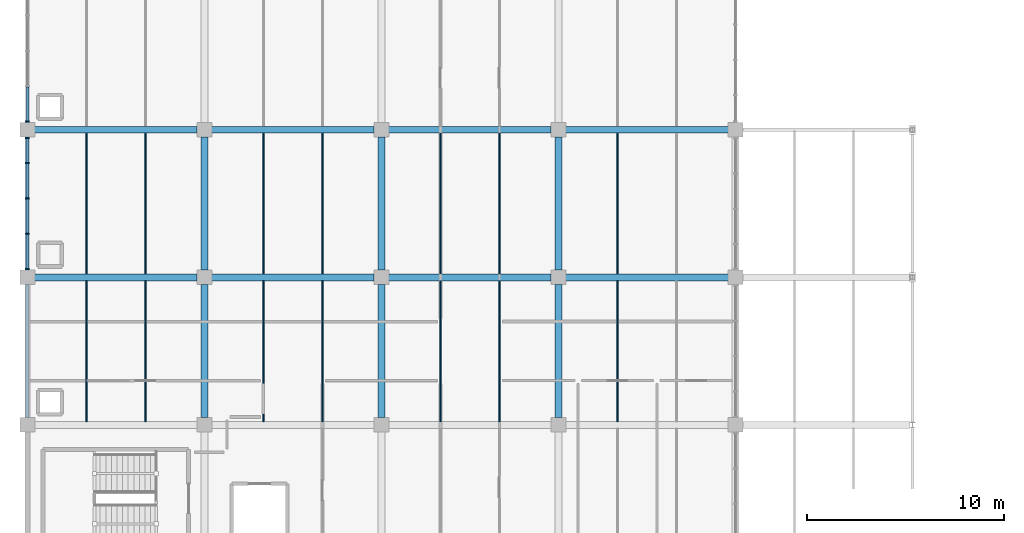
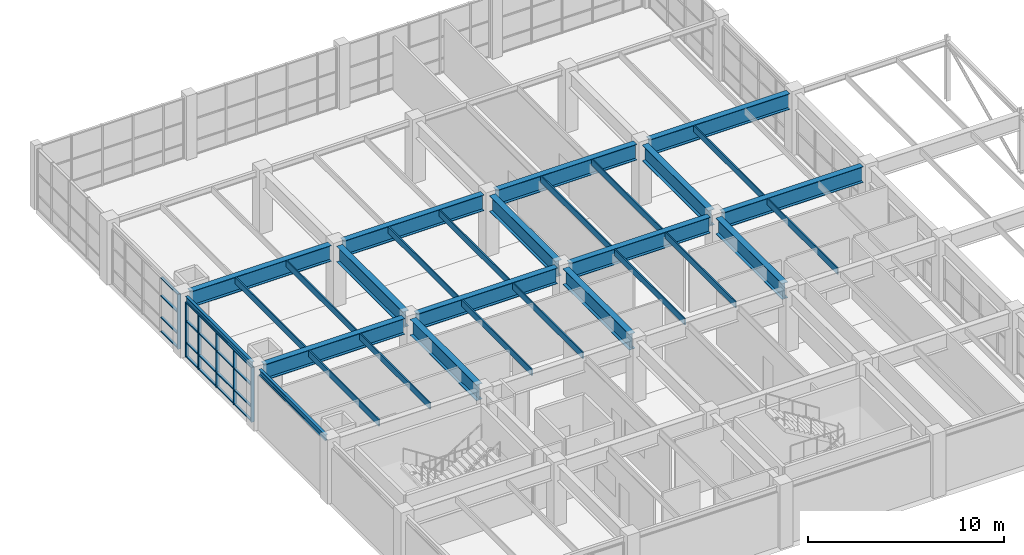
# One storey, part 12 of 76: 30 beams, 26 members, 2 elements without a shape of their own.
"""IFC4 building model written with IfcOpenShell, lengths in metres."""

from ifc_helpers import new_model, si_unit, direction, frame, origin, origin_2d, place, context, subcontext, project, spatial, rectangle, i_section, extrude, material, layer, layer_set, material_profile, profile_set, type_object, element, aggregate, save


model = new_model("IFC4")

# Units and contexts
model_context = context("Model", 3, precision=1e-05, world=origin(), true_north=direction((0.0, 1.0)))
body_context = subcontext(model_context, "Body", "Model", "MODEL_VIEW")
ifc_project = project(units=[si_unit("LENGTHUNIT", "METRE"), si_unit("AREAUNIT", "SQUARE_METRE"), si_unit("VOLUMEUNIT", "CUBIC_METRE"), si_unit("PLANEANGLEUNIT", "RADIAN"), si_unit("MASSUNIT", "GRAM", prefix="KILO")], contexts=[model_context])

# Site, building, storey
site_placement = place(None, origin())
site = spatial("IfcSite", under=ifc_project, at=site_placement, CompositionType="ELEMENT")
building_placement = place(site_placement, origin())
building = spatial("IfcBuilding", under=site, at=building_placement, Name="Marnridge Secondary College", CompositionType="ELEMENT")
storey_placement = place(building_placement, frame((0.0, 0.0, 4.5)))
storey = spatial("IfcBuildingStorey", under=building, at=storey_placement, Name="L01", CompositionType="ELEMENT", Elevation=4.5)

# Beams
ifc_material_1 = material(Name="Engineered timber LVL E13.2", Category="wood")
ifc_material_profile_1 = material_profile(ifc_material_1, rectangle(XDim=0.074951171875, YDim=0.39990234375, at=origin_2d()), Name="LVL 75x400")
ifc_profile_set_1 = profile_set([ifc_material_profile_1], Name="Engineered timber LVL E13.2")
beam_type_1 = type_object("IfcBeamType", Name="BM-LVL400-INT", PredefinedType="JOIST", material=ifc_profile_set_1)
for number, where, z_axis, x_axis, name in (
    (1, (3.0, 15.1689453125, 3.570068359375), (0.0, 1.0, 0.0), (-1.0, 0.0, 0.0), "Beam BJ-L01-0715"),
    (2, (6.0, 15.1689453125, 3.570068359375), (0.0, 1.0, 0.0), (-1.0, 0.0, 0.0), "Beam BJ-L01-0716"),
    (3, (3.0, 22.6689453125, 3.570068359375), (0.0, 1.0, 0.0), (-1.0, 0.0, 0.0), "Beam BJ-L01-0717"),
    (4, (6.0, 22.6689453125, 3.570068359375), (0.0, 1.0, 0.0), (-1.0, 0.0, 0.0), "Beam BJ-L01-0718"),
    (5, (12.0, 15.1689453125, 3.570068359375), (0.0, 1.0, 0.0), (-1.0, 0.0, 0.0), "Beam BJ-L01-0722"),
    (6, (15.0, 15.1689453125, 3.570068359375), (0.0, 1.0, 0.0), (-1.0, 0.0, 0.0), "Beam BJ-L01-0723"),
    (7, (12.0, 22.6689453125, 3.570068359375), (0.0, 1.0, 0.0), (-1.0, 0.0, 0.0), "Beam BJ-L01-0724"),
    (8, (15.0, 22.6689453125, 3.570068359375), (0.0, 1.0, 0.0), (-1.0, 0.0, 0.0), "Beam BJ-L01-0725"),
    (9, (21.0, 15.1689453125, 3.570068359375), (0.0, 1.0, 0.0), (-1.0, 0.0, 0.0), "Beam BJ-L01-0728"),
    (10, (24.0, 15.1689453125, 3.570068359375), (0.0, 1.0, 0.0), (-1.0, 0.0, 0.0), "Beam BJ-L01-0729"),
    (11, (21.0, 22.6689453125, 3.570068359375), (0.0, 1.0, 0.0), (-1.0, 0.0, 0.0), "Beam BJ-L01-0730"),
    (12, (24.0, 22.6689453125, 3.570068359375), (0.0, 1.0, 0.0), (-1.0, 0.0, 0.0), "Beam BJ-L01-0731"),
    (13, (30.0, 15.1689453125, 3.570068359375), (0.0, 1.0, 0.0), (-1.0, 0.0, 0.0), "Beam BJ-L01-0736"),
    (14, (30.0, 22.6689453125, 3.570068359375), (0.0, 1.0, 0.0), (-1.0, 0.0, 0.0), "Beam BJ-L01-0738"),
):
    element("IfcBeam", number, at=place(storey_placement, frame(where, z_axis=z_axis, x_axis=x_axis)), inside=storey, type_object=beam_type_1, Name=name, PredefinedType="JOIST", context=body_context, shape_type="SweptSolid", body=[
        extrude(rectangle(XDim=0.074951171875, YDim=0.39990234375, at=origin_2d()), origin(), (0.0, 0.0, 1.0), 7.162109375),
    ])
ifc_material_2 = material(Name="Structural steel Grade 350 (AS/NZS 3679.1/.2, fy = 340-360 MPa)", Category="steel")
ifc_material_profile_2 = material_profile(ifc_material_2, i_section(OverallWidth=0.1708984375, OverallDepth=0.35205078125, WebThickness=0.0068359375, FlangeThickness=0.009765625, FilletRadius=0.011474609375, at=origin_2d()), Name="360UB44.7")
ifc_profile_set_2 = profile_set([ifc_material_profile_2], Name="Structural steel Grade 350 (AS/NZS 3679.1/.2, fy = 340-360 MPa)")
beam_type_2 = type_object("IfcBeamType", Name="BM-UB360-EXT", PredefinedType="SPANDREL", material=ifc_profile_set_2)
for number, where, z_axis, x_axis, name in (
    (15, (0.0, 15.368896484375, 3.593994140625), (0.0, 1.0, 0.0), (-1.0, 0.0, 0.0), "Beam BS-L01-0663"),
    (16, (0.0, 22.868896484375, 3.593994140625), (0.0, 1.0, 0.0), (-1.0, 0.0, 0.0), "Beam BS-L01-0666"),
):
    element("IfcBeam", number, at=place(storey_placement, frame(where, z_axis=z_axis, x_axis=x_axis)), inside=storey, type_object=beam_type_2, Name=name, PredefinedType="SPANDREL", context=body_context, shape_type="SweptSolid", body=[
        extrude(i_section(OverallWidth=0.1708984375, OverallDepth=0.35205078125, WebThickness=0.0068359375, FlangeThickness=0.009765625, FilletRadius=0.011474609375, at=origin_2d()), origin(), (0.0, 0.0, 1.0), 6.76220703125),
    ])
ifc_material_3 = material(Name="Structural steel Grade 350 (AS/NZS 3679.1/.2, fy = 340-360 MPa)", Category="steel")
ifc_material_profile_3 = material_profile(ifc_material_3, i_section(OverallWidth=0.35009765625, OverallDepth=0.989990234375, WebThickness=0.01611328125, FlangeThickness=0.02490234375, at=origin_2d()), Name="1000WB258")
ifc_profile_set_3 = profile_set([ifc_material_profile_3], Name="Structural steel Grade 350 (AS/NZS 3679.1/.2, fy = 340-360 MPa)")
beam_type_3 = type_object("IfcBeamType", Name="BM-WB1000-INT", PredefinedType="BEAM", material=ifc_profile_set_3)
beam_1_placement = place(storey_placement, frame((0.368896484375, 22.5, 3.27490234375), z_axis=(1.0, 0.0, 0.0), x_axis=(0.0, 1.0, 0.0)))
element("IfcBeam", 17, at=beam_1_placement, inside=storey, type_object=beam_type_3, Name="Beam B-L01-0662", PredefinedType="BEAM", context=body_context, shape_type="SweptSolid", body=[
    extrude(i_section(OverallWidth=0.35009765625, OverallDepth=0.989990234375, WebThickness=0.01611328125, FlangeThickness=0.02490234375, at=origin_2d()), origin(), (0.0, 0.0, 1.0), 8.26220703125),
])
beam_2_placement = place(storey_placement, frame((9.0, 15.368896484375, 3.27490234375), z_axis=(0.0, 1.0, 0.0), x_axis=(-1.0, 0.0, 0.0)))
element("IfcBeam", 18, at=beam_2_placement, inside=storey, type_object=beam_type_3, Name="Beam B-L01-0664", PredefinedType="BEAM", context=body_context, shape_type="SweptSolid", body=[
    extrude(i_section(OverallWidth=0.35009765625, OverallDepth=0.989990234375, WebThickness=0.01611328125, FlangeThickness=0.02490234375, at=origin_2d()), origin(), (0.0, 0.0, 1.0), 6.76220703125),
])
beam_3_placement = place(storey_placement, frame((0.368896484375, 30.0, 3.27490234375), z_axis=(1.0, 0.0, 0.0), x_axis=(0.0, 1.0, 0.0)))
element("IfcBeam", 19, at=beam_3_placement, inside=storey, type_object=beam_type_3, Name="Beam B-L01-0665", PredefinedType="BEAM", context=body_context, shape_type="SweptSolid", body=[
    extrude(i_section(OverallWidth=0.35009765625, OverallDepth=0.989990234375, WebThickness=0.01611328125, FlangeThickness=0.02490234375, at=origin_2d()), origin(), (0.0, 0.0, 1.0), 8.26220703125),
])
beam_4_placement = place(storey_placement, frame((9.0, 22.868896484375, 3.27490234375), z_axis=(0.0, 1.0, 0.0), x_axis=(-1.0, 0.0, 0.0)))
element("IfcBeam", 20, at=beam_4_placement, inside=storey, type_object=beam_type_3, Name="Beam B-L01-0667", PredefinedType="BEAM", context=body_context, shape_type="SweptSolid", body=[
    extrude(i_section(OverallWidth=0.35009765625, OverallDepth=0.989990234375, WebThickness=0.01611328125, FlangeThickness=0.02490234375, at=origin_2d()), origin(), (0.0, 0.0, 1.0), 6.76220703125),
])
beam_5_placement = place(storey_placement, frame((9.368896484375, 22.5, 3.27490234375), z_axis=(1.0, 0.0, 0.0), x_axis=(0.0, 1.0, 0.0)))
element("IfcBeam", 21, at=beam_5_placement, inside=storey, type_object=beam_type_3, Name="Beam B-L01-0673", PredefinedType="BEAM", context=body_context, shape_type="SweptSolid", body=[
    extrude(i_section(OverallWidth=0.35009765625, OverallDepth=0.989990234375, WebThickness=0.01611328125, FlangeThickness=0.02490234375, at=origin_2d()), origin(), (0.0, 0.0, 1.0), 8.26220703125),
])
beam_6_placement = place(storey_placement, frame((18.0, 15.368896484375, 3.27490234375), z_axis=(0.0, 1.0, 0.0), x_axis=(-1.0, 0.0, 0.0)))
element("IfcBeam", 22, at=beam_6_placement, inside=storey, type_object=beam_type_3, Name="Beam B-L01-0674", PredefinedType="BEAM", context=body_context, shape_type="SweptSolid", body=[
    extrude(i_section(OverallWidth=0.35009765625, OverallDepth=0.989990234375, WebThickness=0.01611328125, FlangeThickness=0.02490234375, at=origin_2d()), origin(), (0.0, 0.0, 1.0), 6.76220703125),
])
beam_7_placement = place(storey_placement, frame((9.368896484375, 30.0, 3.27490234375), z_axis=(1.0, 0.0, 0.0), x_axis=(0.0, 1.0, 0.0)))
element("IfcBeam", 23, at=beam_7_placement, inside=storey, type_object=beam_type_3, Name="Beam B-L01-0675", PredefinedType="BEAM", context=body_context, shape_type="SweptSolid", body=[
    extrude(i_section(OverallWidth=0.35009765625, OverallDepth=0.989990234375, WebThickness=0.01611328125, FlangeThickness=0.02490234375, at=origin_2d()), origin(), (0.0, 0.0, 1.0), 8.26220703125),
])
beam_8_placement = place(storey_placement, frame((18.0, 22.868896484375, 3.27490234375), z_axis=(0.0, 1.0, 0.0), x_axis=(-1.0, 0.0, 0.0)))
element("IfcBeam", 24, at=beam_8_placement, inside=storey, type_object=beam_type_3, Name="Beam B-L01-0676", PredefinedType="BEAM", context=body_context, shape_type="SweptSolid", body=[
    extrude(i_section(OverallWidth=0.35009765625, OverallDepth=0.989990234375, WebThickness=0.01611328125, FlangeThickness=0.02490234375, at=origin_2d()), origin(), (0.0, 0.0, 1.0), 6.76220703125),
])
beam_9_placement = place(storey_placement, frame((18.368896484375, 22.5, 3.27490234375), z_axis=(1.0, 0.0, 0.0), x_axis=(0.0, 1.0, 0.0)))
element("IfcBeam", 25, at=beam_9_placement, inside=storey, type_object=beam_type_3, Name="Beam B-L01-0682", PredefinedType="BEAM", context=body_context, shape_type="SweptSolid", body=[
    extrude(i_section(OverallWidth=0.35009765625, OverallDepth=0.989990234375, WebThickness=0.01611328125, FlangeThickness=0.02490234375, at=origin_2d()), origin(), (0.0, 0.0, 1.0), 8.26220703125),
])
beam_10_placement = place(storey_placement, frame((27.0, 15.368896484375, 3.27490234375), z_axis=(0.0, 1.0, 0.0), x_axis=(-1.0, 0.0, 0.0)))
element("IfcBeam", 26, at=beam_10_placement, inside=storey, type_object=beam_type_3, Name="Beam B-L01-0683", PredefinedType="BEAM", context=body_context, shape_type="SweptSolid", body=[
    extrude(i_section(OverallWidth=0.35009765625, OverallDepth=0.989990234375, WebThickness=0.01611328125, FlangeThickness=0.02490234375, at=origin_2d()), origin(), (0.0, 0.0, 1.0), 6.76220703125),
])
beam_11_placement = place(storey_placement, frame((18.368896484375, 30.0, 3.27490234375), z_axis=(1.0, 0.0, 0.0), x_axis=(0.0, 1.0, 0.0)))
element("IfcBeam", 27, at=beam_11_placement, inside=storey, type_object=beam_type_3, Name="Beam B-L01-0684", PredefinedType="BEAM", context=body_context, shape_type="SweptSolid", body=[
    extrude(i_section(OverallWidth=0.35009765625, OverallDepth=0.989990234375, WebThickness=0.01611328125, FlangeThickness=0.02490234375, at=origin_2d()), origin(), (0.0, 0.0, 1.0), 8.26220703125),
])
beam_12_placement = place(storey_placement, frame((27.0, 22.868896484375, 3.27490234375), z_axis=(0.0, 1.0, 0.0), x_axis=(-1.0, 0.0, 0.0)))
element("IfcBeam", 28, at=beam_12_placement, inside=storey, type_object=beam_type_3, Name="Beam B-L01-0685", PredefinedType="BEAM", context=body_context, shape_type="SweptSolid", body=[
    extrude(i_section(OverallWidth=0.35009765625, OverallDepth=0.989990234375, WebThickness=0.01611328125, FlangeThickness=0.02490234375, at=origin_2d()), origin(), (0.0, 0.0, 1.0), 6.76220703125),
])
for number, where, z_axis, x_axis, name in (
    (29, (27.368896484375, 22.5, 3.27490234375), (1.0, 0.0, 0.0), (0.0, 1.0, 0.0), "Beam B-L01-0691"),
    (30, (27.368896484375, 30.0, 3.27490234375), (1.0, 0.0, 0.0), (0.0, 1.0, 0.0), "Beam B-L01-0693"),
):
    element("IfcBeam", number, at=place(storey_placement, frame(where, z_axis=z_axis, x_axis=x_axis)), inside=storey, type_object=beam_type_3, Name=name, PredefinedType="BEAM", context=body_context, shape_type="SweptSolid", body=[
        extrude(i_section(OverallWidth=0.35009765625, OverallDepth=0.989990234375, WebThickness=0.01611328125, FlangeThickness=0.02490234375, at=origin_2d()), origin(), (0.0, 0.0, 1.0), 8.26220703125),
    ])

# Curtain wall, members
ifc_material_4 = material(Name="Bronze-anodised aluminium and solar-control glazing", Category="aluminium")
ifc_layer = layer(ifc_material_4, 0.199951171875)
ifc_layer_set = layer_set([ifc_layer], Name="CW-MOD-1800")
curtain_wall_type = type_object("IfcCurtainWallType", Name="CW-MOD-1800", PredefinedType="NOTDEFINED", material=ifc_layer_set)
curtain_wall_1_placement = place(storey_placement, origin())
curtain_wall_1 = element("IfcCurtainWall", 31, at=curtain_wall_1_placement, inside=storey, type_object=curtain_wall_type, Name="Unitised curtain wall CW-L01-070", PredefinedType="NOTDEFINED")
ifc_material_5 = material(Name="Bronze-anodised aluminium 6063-T6", Category="aluminium")
ifc_material_profile_4 = material_profile(ifc_material_5, rectangle(XDim=0.070068359375, YDim=0.199951171875, at=origin_2d()), Name="ALU 70x200")
ifc_profile_set_4 = profile_set([ifc_material_profile_4], Name="Bronze-anodised aluminium 6063-T6")
member_type_1 = type_object("IfcMemberType", Name="CWM-ALU200", PredefinedType="MULLION", material=ifc_profile_set_4)
member_1_placement = place(storey_placement, frame((0.0, 22.9140625, 0.0), z_axis=(0.0, 0.0, 1.0), x_axis=(0.0, 1.0, 0.0)))
member_1 = element("IfcMember", 32, at=member_1_placement, type_object=member_type_1, Name="CW-L01-070 mullion 1", PredefinedType="MULLION", context=body_context, shape_type="SweptSolid", body=[
    extrude(rectangle(XDim=0.070068359375, YDim=0.199951171875, at=origin_2d()), origin(), (0.0, 0.0, 1.0), 3.409912109375),
])
member_2_placement = place(storey_placement, frame((0.0, 24.714111328125, 0.0), z_axis=(0.0, 0.0, 1.0), x_axis=(0.0, 1.0, 0.0)))
member_2 = element("IfcMember", 33, at=member_2_placement, type_object=member_type_1, Name="CW-L01-070 mullion 2", PredefinedType="MULLION", context=body_context, shape_type="SweptSolid", body=[
    extrude(rectangle(XDim=0.070068359375, YDim=0.199951171875, at=origin_2d()), origin(), (0.0, 0.0, 1.0), 3.409912109375),
])
member_3_placement = place(storey_placement, frame((0.0, 26.513916015625, 0.0), z_axis=(0.0, 0.0, 1.0), x_axis=(0.0, 1.0, 0.0)))
member_3 = element("IfcMember", 34, at=member_3_placement, type_object=member_type_1, Name="CW-L01-070 mullion 3", PredefinedType="MULLION", context=body_context, shape_type="SweptSolid", body=[
    extrude(rectangle(XDim=0.070068359375, YDim=0.199951171875, at=origin_2d()), origin(), (0.0, 0.0, 1.0), 3.409912109375),
])
member_4_placement = place(storey_placement, frame((0.0, 28.31396484375, 0.0), z_axis=(0.0, 0.0, 1.0), x_axis=(0.0, 1.0, 0.0)))
member_4 = element("IfcMember", 35, at=member_4_placement, type_object=member_type_1, Name="CW-L01-070 mullion 4", PredefinedType="MULLION", context=body_context, shape_type="SweptSolid", body=[
    extrude(rectangle(XDim=0.070068359375, YDim=0.199951171875, at=origin_2d()), origin(), (0.0, 0.0, 1.0), 3.409912109375),
])
member_5_placement = place(storey_placement, frame((0.0, 29.5859375, 0.0), z_axis=(0.0, 0.0, 1.0), x_axis=(0.0, 1.0, 0.0)))
member_5 = element("IfcMember", 36, at=member_5_placement, type_object=member_type_1, Name="CW-L01-070 mullion 5", PredefinedType="MULLION", context=body_context, shape_type="SweptSolid", body=[
    extrude(rectangle(XDim=0.070068359375, YDim=0.199951171875, at=origin_2d()), origin(), (0.0, 0.0, 1.0), 3.409912109375),
])

# Curtain wall, member
curtain_wall_2_placement = place(storey_placement, origin())
curtain_wall_2 = element("IfcCurtainWall", 37, at=curtain_wall_2_placement, inside=storey, type_object=curtain_wall_type, Name="Unitised curtain wall CW-L01-071", PredefinedType="NOTDEFINED")
member_6_placement = place(storey_placement, frame((0.0, 30.4140625, 0.0), z_axis=(0.0, 0.0, 1.0), x_axis=(0.0, 1.0, 0.0)))
member_6 = element("IfcMember", 38, at=member_6_placement, type_object=member_type_1, Name="CW-L01-071 mullion 1", PredefinedType="MULLION", context=body_context, shape_type="SweptSolid", body=[
    extrude(rectangle(XDim=0.070068359375, YDim=0.199951171875, at=origin_2d()), origin(), (0.0, 0.0, 1.0), 3.409912109375),
])

# Member
ifc_material_6 = material(Name="Anodised aluminium 6063-T6", Category="aluminium")
ifc_material_profile_5 = material_profile(ifc_material_6, rectangle(XDim=0.06494140625, YDim=0.139892578125, at=origin_2d()), Name="ALU 65x140")
ifc_profile_set_5 = profile_set([ifc_material_profile_5], Name="Anodised aluminium 6063-T6")
member_type_2 = type_object("IfcMemberType", Name="CWT-ALU140", PredefinedType="USERDEFINED", material=ifc_profile_set_5)
member_7_placement = place(storey_placement, frame((0.0, 22.948974609375, 0.032470703125), z_axis=(0.0, 1.0, 0.0), x_axis=(0.0, 0.0, 1.0)))
member_7 = element("IfcMember", 39, at=member_7_placement, type_object=member_type_2, Name="CW-L01-070 transom 1.1", ObjectType="TRANSOM", PredefinedType="USERDEFINED", context=body_context, shape_type="SweptSolid", body=[
    extrude(rectangle(XDim=0.06494140625, YDim=0.139892578125, at=origin_2d()), origin(), (0.0, 0.0, 1.0), 1.72998046875),
])

member_8_placement = place(storey_placement, frame((0.0, 22.948974609375, 0.89990234375), z_axis=(0.0, 1.0, 0.0), x_axis=(0.0, 0.0, 1.0)))
member_8 = element("IfcMember", 40, at=member_8_placement, type_object=member_type_2, Name="CW-L01-070 transom 1.2", ObjectType="TRANSOM", PredefinedType="USERDEFINED", context=body_context, shape_type="SweptSolid", body=[
    extrude(rectangle(XDim=0.06494140625, YDim=0.139892578125, at=origin_2d()), origin(), (0.0, 0.0, 1.0), 1.72998046875),
])

member_9_placement = place(storey_placement, frame((0.0, 22.948974609375, 2.25), z_axis=(0.0, 1.0, 0.0), x_axis=(0.0, 0.0, 1.0)))
member_9 = element("IfcMember", 41, at=member_9_placement, type_object=member_type_2, Name="CW-L01-070 transom 1.3", ObjectType="TRANSOM", PredefinedType="USERDEFINED", context=body_context, shape_type="SweptSolid", body=[
    extrude(rectangle(XDim=0.06494140625, YDim=0.139892578125, at=origin_2d()), origin(), (0.0, 0.0, 1.0), 1.72998046875),
])

member_10_placement = place(storey_placement, frame((0.0, 22.948974609375, 3.37744140625), z_axis=(0.0, 1.0, 0.0), x_axis=(0.0, 0.0, 1.0)))
member_10 = element("IfcMember", 42, at=member_10_placement, type_object=member_type_2, Name="CW-L01-070 transom 1.4", ObjectType="TRANSOM", PredefinedType="USERDEFINED", context=body_context, shape_type="SweptSolid", body=[
    extrude(rectangle(XDim=0.06494140625, YDim=0.139892578125, at=origin_2d()), origin(), (0.0, 0.0, 1.0), 1.72998046875),
])

member_11_placement = place(storey_placement, frame((0.0, 24.7490234375, 0.032470703125), z_axis=(0.0, 1.0, 0.0), x_axis=(0.0, 0.0, 1.0)))
member_11 = element("IfcMember", 43, at=member_11_placement, type_object=member_type_2, Name="CW-L01-070 transom 2.1", ObjectType="TRANSOM", PredefinedType="USERDEFINED", context=body_context, shape_type="SweptSolid", body=[
    extrude(rectangle(XDim=0.06494140625, YDim=0.139892578125, at=origin_2d()), origin(), (0.0, 0.0, 1.0), 1.72998046875),
])

member_12_placement = place(storey_placement, frame((0.0, 24.7490234375, 0.89990234375), z_axis=(0.0, 1.0, 0.0), x_axis=(0.0, 0.0, 1.0)))
member_12 = element("IfcMember", 44, at=member_12_placement, type_object=member_type_2, Name="CW-L01-070 transom 2.2", ObjectType="TRANSOM", PredefinedType="USERDEFINED", context=body_context, shape_type="SweptSolid", body=[
    extrude(rectangle(XDim=0.06494140625, YDim=0.139892578125, at=origin_2d()), origin(), (0.0, 0.0, 1.0), 1.72998046875),
])

member_13_placement = place(storey_placement, frame((0.0, 24.7490234375, 2.25), z_axis=(0.0, 1.0, 0.0), x_axis=(0.0, 0.0, 1.0)))
member_13 = element("IfcMember", 45, at=member_13_placement, type_object=member_type_2, Name="CW-L01-070 transom 2.3", ObjectType="TRANSOM", PredefinedType="USERDEFINED", context=body_context, shape_type="SweptSolid", body=[
    extrude(rectangle(XDim=0.06494140625, YDim=0.139892578125, at=origin_2d()), origin(), (0.0, 0.0, 1.0), 1.72998046875),
])

member_14_placement = place(storey_placement, frame((0.0, 24.7490234375, 3.37744140625), z_axis=(0.0, 1.0, 0.0), x_axis=(0.0, 0.0, 1.0)))
member_14 = element("IfcMember", 46, at=member_14_placement, type_object=member_type_2, Name="CW-L01-070 transom 2.4", ObjectType="TRANSOM", PredefinedType="USERDEFINED", context=body_context, shape_type="SweptSolid", body=[
    extrude(rectangle(XDim=0.06494140625, YDim=0.139892578125, at=origin_2d()), origin(), (0.0, 0.0, 1.0), 1.72998046875),
])

member_15_placement = place(storey_placement, frame((0.0, 26.549072265625, 0.032470703125), z_axis=(0.0, 1.0, 0.0), x_axis=(0.0, 0.0, 1.0)))
member_15 = element("IfcMember", 47, at=member_15_placement, type_object=member_type_2, Name="CW-L01-070 transom 3.1", ObjectType="TRANSOM", PredefinedType="USERDEFINED", context=body_context, shape_type="SweptSolid", body=[
    extrude(rectangle(XDim=0.06494140625, YDim=0.139892578125, at=origin_2d()), origin(), (0.0, 0.0, 1.0), 1.72998046875),
])

member_16_placement = place(storey_placement, frame((0.0, 26.549072265625, 0.89990234375), z_axis=(0.0, 1.0, 0.0), x_axis=(0.0, 0.0, 1.0)))
member_16 = element("IfcMember", 48, at=member_16_placement, type_object=member_type_2, Name="CW-L01-070 transom 3.2", ObjectType="TRANSOM", PredefinedType="USERDEFINED", context=body_context, shape_type="SweptSolid", body=[
    extrude(rectangle(XDim=0.06494140625, YDim=0.139892578125, at=origin_2d()), origin(), (0.0, 0.0, 1.0), 1.72998046875),
])

member_17_placement = place(storey_placement, frame((0.0, 26.549072265625, 2.25), z_axis=(0.0, 1.0, 0.0), x_axis=(0.0, 0.0, 1.0)))
member_17 = element("IfcMember", 49, at=member_17_placement, type_object=member_type_2, Name="CW-L01-070 transom 3.3", ObjectType="TRANSOM", PredefinedType="USERDEFINED", context=body_context, shape_type="SweptSolid", body=[
    extrude(rectangle(XDim=0.06494140625, YDim=0.139892578125, at=origin_2d()), origin(), (0.0, 0.0, 1.0), 1.72998046875),
])

member_18_placement = place(storey_placement, frame((0.0, 26.549072265625, 3.37744140625), z_axis=(0.0, 1.0, 0.0), x_axis=(0.0, 0.0, 1.0)))
member_18 = element("IfcMember", 50, at=member_18_placement, type_object=member_type_2, Name="CW-L01-070 transom 3.4", ObjectType="TRANSOM", PredefinedType="USERDEFINED", context=body_context, shape_type="SweptSolid", body=[
    extrude(rectangle(XDim=0.06494140625, YDim=0.139892578125, at=origin_2d()), origin(), (0.0, 0.0, 1.0), 1.72998046875),
])

member_19_placement = place(storey_placement, frame((0.0, 28.34912109375, 0.032470703125), z_axis=(0.0, 1.0, 0.0), x_axis=(0.0, 0.0, 1.0)))
member_19 = element("IfcMember", 51, at=member_19_placement, type_object=member_type_2, Name="CW-L01-070 transom 4.1", ObjectType="TRANSOM", PredefinedType="USERDEFINED", context=body_context, shape_type="SweptSolid", body=[
    extrude(rectangle(XDim=0.06494140625, YDim=0.139892578125, at=origin_2d()), origin(), (0.0, 0.0, 1.0), 1.201904296875),
])

member_20_placement = place(storey_placement, frame((0.0, 28.34912109375, 0.89990234375), z_axis=(0.0, 1.0, 0.0), x_axis=(0.0, 0.0, 1.0)))
member_20 = element("IfcMember", 52, at=member_20_placement, type_object=member_type_2, Name="CW-L01-070 transom 4.2", ObjectType="TRANSOM", PredefinedType="USERDEFINED", context=body_context, shape_type="SweptSolid", body=[
    extrude(rectangle(XDim=0.06494140625, YDim=0.139892578125, at=origin_2d()), origin(), (0.0, 0.0, 1.0), 1.201904296875),
])

member_21_placement = place(storey_placement, frame((0.0, 28.34912109375, 2.25), z_axis=(0.0, 1.0, 0.0), x_axis=(0.0, 0.0, 1.0)))
member_21 = element("IfcMember", 53, at=member_21_placement, type_object=member_type_2, Name="CW-L01-070 transom 4.3", ObjectType="TRANSOM", PredefinedType="USERDEFINED", context=body_context, shape_type="SweptSolid", body=[
    extrude(rectangle(XDim=0.06494140625, YDim=0.139892578125, at=origin_2d()), origin(), (0.0, 0.0, 1.0), 1.201904296875),
])

member_22_placement = place(storey_placement, frame((0.0, 28.34912109375, 3.37744140625), z_axis=(0.0, 1.0, 0.0), x_axis=(0.0, 0.0, 1.0)))
member_22 = element("IfcMember", 54, at=member_22_placement, type_object=member_type_2, Name="CW-L01-070 transom 4.4", ObjectType="TRANSOM", PredefinedType="USERDEFINED", context=body_context, shape_type="SweptSolid", body=[
    extrude(rectangle(XDim=0.06494140625, YDim=0.139892578125, at=origin_2d()), origin(), (0.0, 0.0, 1.0), 1.201904296875),
])

aggregate(curtain_wall_1, [member_1, member_2, member_3, member_4, member_5, member_7, member_8, member_9, member_10, member_11, member_12, member_13, member_14, member_15, member_16, member_17, member_18, member_19, member_20, member_21, member_22])

member_23_placement = place(storey_placement, frame((0.0, 30.448974609375, 0.032470703125), z_axis=(0.0, 1.0, 0.0), x_axis=(0.0, 0.0, 1.0)))
member_23 = element("IfcMember", 55, at=member_23_placement, type_object=member_type_2, Name="CW-L01-071 transom 1.1", ObjectType="TRANSOM", PredefinedType="USERDEFINED", context=body_context, shape_type="SweptSolid", body=[
    extrude(rectangle(XDim=0.06494140625, YDim=0.139892578125, at=origin_2d()), origin(), (0.0, 0.0, 1.0), 1.72998046875),
])

member_24_placement = place(storey_placement, frame((0.0, 30.448974609375, 0.89990234375), z_axis=(0.0, 1.0, 0.0), x_axis=(0.0, 0.0, 1.0)))
member_24 = element("IfcMember", 56, at=member_24_placement, type_object=member_type_2, Name="CW-L01-071 transom 1.2", ObjectType="TRANSOM", PredefinedType="USERDEFINED", context=body_context, shape_type="SweptSolid", body=[
    extrude(rectangle(XDim=0.06494140625, YDim=0.139892578125, at=origin_2d()), origin(), (0.0, 0.0, 1.0), 1.72998046875),
])

member_25_placement = place(storey_placement, frame((0.0, 30.448974609375, 2.25), z_axis=(0.0, 1.0, 0.0), x_axis=(0.0, 0.0, 1.0)))
member_25 = element("IfcMember", 57, at=member_25_placement, type_object=member_type_2, Name="CW-L01-071 transom 1.3", ObjectType="TRANSOM", PredefinedType="USERDEFINED", context=body_context, shape_type="SweptSolid", body=[
    extrude(rectangle(XDim=0.06494140625, YDim=0.139892578125, at=origin_2d()), origin(), (0.0, 0.0, 1.0), 1.72998046875),
])

member_26_placement = place(storey_placement, frame((0.0, 30.448974609375, 3.37744140625), z_axis=(0.0, 1.0, 0.0), x_axis=(0.0, 0.0, 1.0)))
member_26 = element("IfcMember", 58, at=member_26_placement, type_object=member_type_2, Name="CW-L01-071 transom 1.4", ObjectType="TRANSOM", PredefinedType="USERDEFINED", context=body_context, shape_type="SweptSolid", body=[
    extrude(rectangle(XDim=0.06494140625, YDim=0.139892578125, at=origin_2d()), origin(), (0.0, 0.0, 1.0), 1.72998046875),
])

aggregate(curtain_wall_2, [member_6, member_23, member_24, member_25, member_26])

save(model, "model.ifc")
